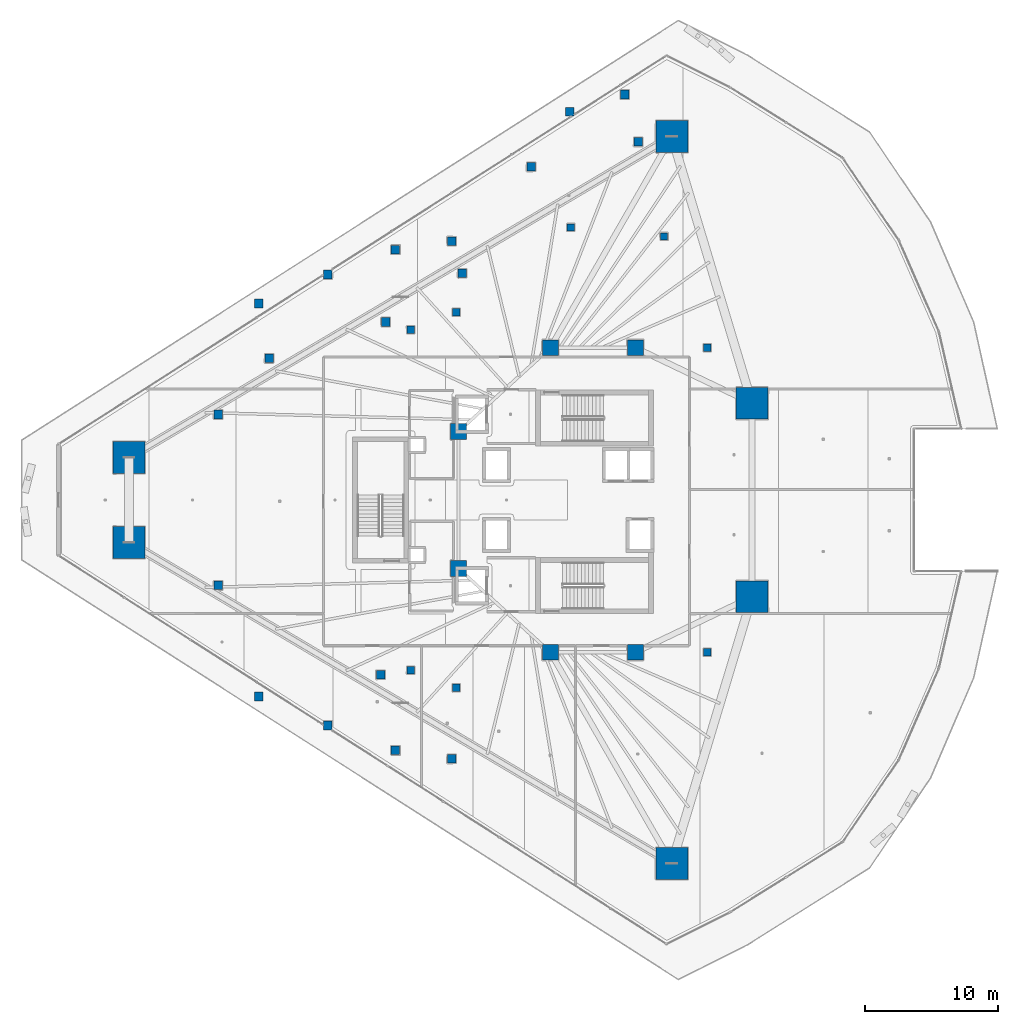
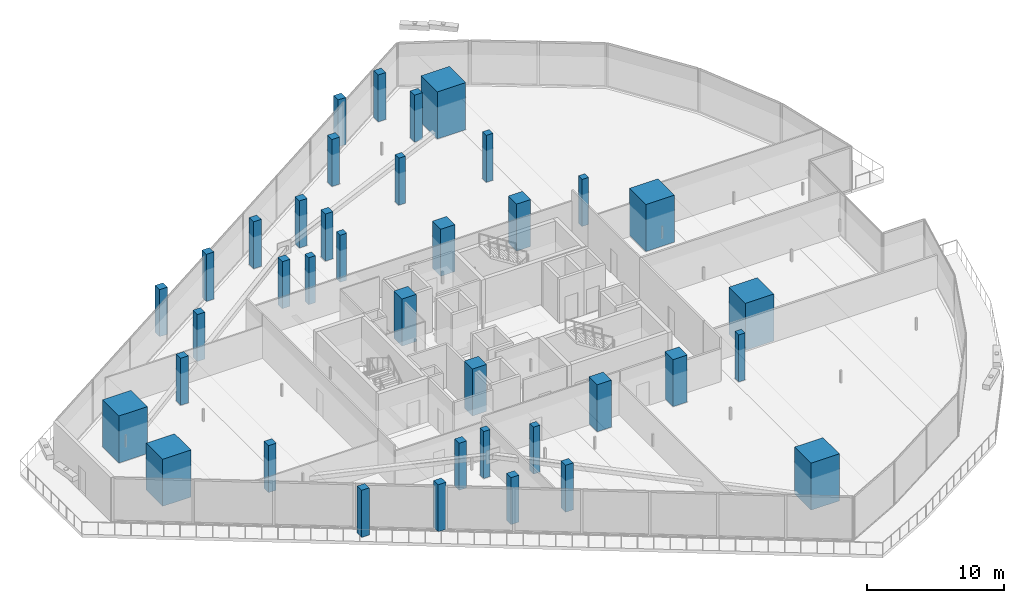
# One storey, part 1 of 45: 38 columns.
"""IFC4 building model written with IfcOpenShell, lengths in metres."""

import ifcopenshell
import ifcopenshell.guid

model = None  # the IFC model being written
_history = None  # IfcOwnerHistory: only IFC2X3 demands one
_inside = {}  # id of a spatial element -> (the spatial element, [elements in it])
_under = {}  # id of a project, library or spatial element -> (it, [spatial elements below it])
_declared = {}  # id of a project -> (the project, [libraries it declares])
_typed = {}  # id of a type object -> (the type object, [elements of that type])
_made_of = {}  # id of a material, layer set ... -> (it, [elements and type objects made of it])


def new_model(schema):
    """Start an empty IFC model of exactly this schema.

    Asked for "IFC4X3", IfcOpenShell would pick the latest addendum, in which some entities
    have other attributes; the version numbers below select the first issue.
    IFC2X3 requires an IfcOwnerHistory on every rooted entity: one is made here for all.
    """
    global model, _history
    if schema == "IFC4X3":
        model = ifcopenshell.file(schema_version=(4, 3, 0, 0))
    else:
        model = ifcopenshell.file(schema=schema)
    _inside.clear()
    _under.clear()
    _declared.clear()
    _typed.clear()
    _made_of.clear()
    _history = None
    if model.schema == "IFC2X3":
        org = make("IfcOrganization", Name="unknown")
        user = make(
            "IfcPersonAndOrganization",
            ThePerson=make("IfcPerson", FamilyName="unknown"),
            TheOrganization=org,
        )
        app = make(
            "IfcApplication",
            ApplicationDeveloper=org,
            Version="unknown",
            ApplicationFullName="unknown",
            ApplicationIdentifier="unknown",
        )
        _history = make(
            "IfcOwnerHistory",
            OwningUser=user,
            OwningApplication=app,
            ChangeAction="ADDED",
            CreationDate=0,
        )
    return model


def make(cls, **values):
    """One entity of the class cls with the attributes given. An attribute that is None is left unset."""
    return model.create_entity(
        cls, **{name: value for name, value in values.items() if value is not None}
    )


def rooted(cls, **values):
    """An entity with a GlobalId (a new one), such as an element, a storey or a relation."""
    return make(cls, GlobalId=ifcopenshell.guid.new(), OwnerHistory=_history, **values)


def si_unit(unit_type, name, prefix=None):
    """IfcSIUnit, for example si_unit("LENGTHUNIT", "METRE", prefix="MILLI")."""
    return make("IfcSIUnit", UnitType=unit_type, Prefix=prefix, Name=name)


def assignment(units):
    """IfcUnitAssignment: the units of a project."""
    return None if units is None else make("IfcUnitAssignment", Units=units)


def point(xyz):
    """IfcCartesianPoint."""
    return None if xyz is None else make("IfcCartesianPoint", Coordinates=xyz)


def direction(xyz):
    """IfcDirection."""
    return None if xyz is None else make("IfcDirection", DirectionRatios=xyz)


def frame(location, z_axis=None, x_axis=None):
    """IfcAxis2Placement3D, a coordinate frame: its origin and axes. An axis left out is left unset."""
    return make(
        "IfcAxis2Placement3D",
        Location=point(location),
        Axis=direction(z_axis),
        RefDirection=direction(x_axis),
    )


def frame_2d(location, x_axis=None):
    """IfcAxis2Placement2D, a coordinate frame in the plane: its origin and x axis."""
    return make(
        "IfcAxis2Placement2D", Location=point(location), RefDirection=direction(x_axis)
    )


def origin():
    """The frame at (0, 0, 0) with its axes left unset."""
    return frame((0.0, 0.0, 0.0))


def origin_2d():
    """The frame at (0, 0) in the plane with its x axis left unset."""
    return frame_2d((0.0, 0.0))


def place(relative_to, where):
    """IfcLocalPlacement: puts the frame where relative to a parent placement (None: the world)."""
    return make(
        "IfcLocalPlacement", PlacementRelTo=relative_to, RelativePlacement=where
    )


def context(
    kind, dimensions, precision=None, world=None, true_north=None, identifier=None
):
    """IfcGeometricRepresentationContext, for example the 3D "Model" context."""
    return make(
        "IfcGeometricRepresentationContext",
        ContextIdentifier=identifier,
        ContextType=kind,
        CoordinateSpaceDimension=dimensions,
        Precision=precision,
        WorldCoordinateSystem=world,
        TrueNorth=true_north,
    )


def subcontext(parent, identifier, kind, view, scale=None):
    """IfcGeometricRepresentationSubContext, for example "Body" below "Model"."""
    return make(
        "IfcGeometricRepresentationSubContext",
        ContextIdentifier=identifier,
        ContextType=kind,
        ParentContext=parent,
        TargetScale=scale,
        TargetView=view,
    )


def project(units=None, contexts=None):
    """IfcProject with its units and contexts."""
    return rooted(
        "IfcProject",
        Name="project",
        RepresentationContexts=contexts,
        UnitsInContext=assignment(units),
    )


def spatial(cls, under=None, at=None, **own):
    """A site, building, storey or space (cls), placed at a placement, below another one or the project."""
    s = rooted(cls, ObjectPlacement=at, **own)
    if under is not None:
        _under.setdefault(under.id(), (under, []))[1].append(s)
    return s


def profile(cls, at=None, kind="AREA", **sizes):
    """A parametric profile (cls). Its sizes go by their IFC names, for example OverallWidth=200.0."""
    return make(cls, ProfileType=kind, Position=at, **sizes)


def rectangle(**sizes):
    """IfcRectangleProfileDef."""
    return profile("IfcRectangleProfileDef", **sizes)


def extrude(swept, where, along, depth):
    """IfcExtrudedAreaSolid: the profile swept, set in the frame where, extruded along a direction by depth."""
    return make(
        "IfcExtrudedAreaSolid",
        SweptArea=swept,
        Position=where,
        ExtrudedDirection=direction(along),
        Depth=depth,
    )


def shape(context_of_items, identifier, shape_type, items):
    """IfcShapeRepresentation: the items that make up one representation, for example the "Body"."""
    return make(
        "IfcShapeRepresentation",
        ContextOfItems=context_of_items,
        RepresentationIdentifier=identifier,
        RepresentationType=shape_type,
        Items=items,
    )


def material(Name=None, Category=None):
    """IfcMaterial."""
    return make("IfcMaterial", Name=Name, Category=Category)


def material_profile(
    of_material, cross_section, Name=None, Category=None, Priority=None
):
    """IfcMaterialProfile: a cross section and its material."""
    return make(
        "IfcMaterialProfile",
        Name=Name,
        Material=of_material,
        Profile=cross_section,
        Priority=Priority,
        Category=Category,
    )


def profile_set(profiles, Name=None, composite=None):
    """IfcMaterialProfileSet."""
    return make(
        "IfcMaterialProfileSet",
        Name=Name,
        MaterialProfiles=profiles,
        CompositeProfile=composite,
    )


def made_of(thing, what):
    """Note that an element or type object is made of a material, layer set ...; save() writes the relation."""
    if what is not None:
        _made_of.setdefault(what.id(), (what, []))[1].append(thing)
    return thing


def type_object(cls, material=None, **own):
    """A type object (cls), such as IfcWallType, which elements share."""
    return made_of(rooted(cls, **own), material)


def element(
    cls,
    number,
    at=None,
    inside=None,
    cuts=None,
    type_object=None,
    material=None,
    context=None,
    identifier="Body",
    shape_type=None,
    held_by="IfcProductDefinitionShape",
    body=None,
    shapes=None,
    **own,
):
    """One element of the class cls, such as IfcWall. Its Tag is "e" and its number.

    at: its placement. inside: the storey or other place that contains it. cuts: it is an
    opening in that element (IfcRelVoidsElement). A single representation is given by context,
    identifier, shape_type and body (its items); several are given by shapes. held_by: the class
    of the entity that holds the representations. save() writes the other relations.
    """
    e = rooted(cls, Tag="e%d" % number, ObjectPlacement=at, **own)
    if body is not None:
        shapes = [shape(context, identifier, shape_type, body)]
    if shapes is not None:
        e.Representation = make(held_by, Representations=shapes)
    if inside is not None:
        _inside.setdefault(inside.id(), (inside, []))[1].append(e)
    if cuts is not None:
        rooted(
            "IfcRelVoidsElement", RelatingBuildingElement=cuts, RelatedOpeningElement=e
        )
    if type_object is not None:
        _typed.setdefault(type_object.id(), (type_object, []))[1].append(e)
    return made_of(e, material)


def aggregate(whole, parts):
    """IfcRelAggregates: a whole, such as a stair, and the parts it consists of."""
    return rooted("IfcRelAggregates", RelatingObject=whole, RelatedObjects=parts)


def save(model, path):
    """Write the relations noted so far, then the file.

    IfcRelAggregates (storeys below a building ...), IfcRelContainedInSpatialStructure (elements
    in a storey), IfcRelDefinesByType, IfcRelAssociatesMaterial and IfcRelDeclares: one each for
    every whole, place, type object, material and project.
    """
    for whole, parts in _under.values():
        aggregate(whole, parts)
    for where, things in _inside.values():
        rooted(
            "IfcRelContainedInSpatialStructure",
            RelatedElements=things,
            RelatingStructure=where,
        )
    for kind, things in _typed.values():
        rooted("IfcRelDefinesByType", RelatedObjects=things, RelatingType=kind)
    for what, things in _made_of.values():
        rooted("IfcRelAssociatesMaterial", RelatedObjects=things, RelatingMaterial=what)
    for by, libraries in _declared.values():
        rooted("IfcRelDeclares", RelatingContext=by, RelatedDefinitions=libraries)
    model.write(path)


model = new_model("IFC4")

# Units and contexts
model_context = context("Model", 3, precision=1e-05, world=origin(), true_north=direction((0.0, 1.0)))
body_context = subcontext(model_context, "Body", "Model", "MODEL_VIEW")
ifc_project = project(units=[si_unit("LENGTHUNIT", "METRE"), si_unit("AREAUNIT", "SQUARE_METRE"), si_unit("VOLUMEUNIT", "CUBIC_METRE"), si_unit("PLANEANGLEUNIT", "RADIAN"), si_unit("MASSUNIT", "GRAM", prefix="KILO")], contexts=[model_context])

# Site, building, storey
site_placement = place(None, origin())
site = spatial("IfcSite", under=ifc_project, at=site_placement, CompositionType="ELEMENT")
building_placement = place(site_placement, origin())
building = spatial("IfcBuilding", under=site, at=building_placement, Name="Qorvath Tower", CompositionType="ELEMENT")
storey_placement = place(building_placement, frame((0.0, 0.0, 49.199951171875)))
storey = spatial("IfcBuildingStorey", under=building, at=storey_placement, Name="L10", CompositionType="ELEMENT", Elevation=49.199951171875)

# Columns
ifc_material_1 = material(Name="Concrete C70/85", Category="concrete")
ifc_material_profile_1 = material_profile(ifc_material_1, rectangle(XDim=2.39990234375, YDim=2.39990234375, at=origin_2d()), Name="MC 2400x2400")
ifc_profile_set_1 = profile_set([ifc_material_profile_1], Name="Concrete C70/85")
column_type_1 = type_object("IfcColumnType", Name="COL-MC1", PredefinedType="COLUMN", material=ifc_profile_set_1)
for number, where, z_axis, x_axis, name in (
    (1, (-55.282958984375, 3.194580078125, 0.0), (0.0, 0.0, 1.0), (1.0, 0.0, 0.0), "Composite Mega-Column MC1 L10"),
    (2, (-55.282958984375, -3.194580078125, 0.0), (0.0, 0.0, 1.0), (1.0, 0.0, 0.0), "Composite Mega-Column MC2 L10"),
    (3, (-14.46435546875, -27.330810546875, 0.0), (0.0, 0.0, 1.0), (1.0, 0.0, 0.0), "Composite Mega-Column MC3 L10"),
    (4, (-8.430419921875, -7.2763671875, 0.0), (0.0, 0.0, 1.0), (1.0, 0.0, 0.0), "Composite Mega-Column MC4 L10"),
    (5, (-8.430419921875, 7.2763671875, 0.0), (0.0, 0.0, 1.0), (1.0, 0.0, 0.0), "Composite Mega-Column MC5 L10"),
    (6, (-14.46435546875, 27.330810546875, 0.0), (0.0, 0.0, 1.0), (1.0, 0.0, 0.0), "Composite Mega-Column MC6 L10"),
):
    element("IfcColumn", number, at=place(storey_placement, frame(where, z_axis=z_axis, x_axis=x_axis)), inside=storey, type_object=column_type_1, Name=name, PredefinedType="COLUMN", context=body_context, shape_type="SweptSolid", body=[
        extrude(rectangle(XDim=2.39990234375, YDim=2.39990234375, at=origin_2d()), origin(), (0.0, 0.0, 1.0), 4.199951171875),
    ])
ifc_material_2 = material(Name="Concrete C60/75", Category="concrete")
ifc_material_profile_2 = material_profile(ifc_material_2, rectangle(XDim=1.199951171875, YDim=1.199951171875, at=origin_2d()), Name="RC 1200x1200")
ifc_profile_set_2 = profile_set([ifc_material_profile_2], Name="Concrete C60/75")
column_type_2 = type_object("IfcColumnType", Name="COL-RC1", PredefinedType="COLUMN", material=ifc_profile_set_2)
for number, where, z_axis, x_axis, name in (
    (7, (-23.60009765625, 11.449951171875, 0.0), (0.0, 0.0, 1.0), (1.0, 0.0, 0.0), "Core Spine Column CC1 L10"),
    (8, (-17.199951171875, 11.449951171875, 0.0), (0.0, 0.0, 1.0), (1.0, 0.0, 0.0), "Core Spine Column CC2 L10"),
    (9, (-17.199951171875, -11.449951171875, 0.0), (0.0, 0.0, 1.0), (1.0, 0.0, 0.0), "Core Spine Column CC3 L10"),
    (10, (-23.60009765625, -11.449951171875, 0.0), (0.0, 0.0, 1.0), (1.0, 0.0, 0.0), "Core Spine Column CC4 L10"),
    (11, (-30.5, 5.14990234375, 0.0), (0.0, 0.0, 1.0), (1.0, 0.0, 0.0), "Core Spine Column CC5 L10"),
    (12, (-30.5, -5.14990234375, 0.0), (0.0, 0.0, 1.0), (1.0, 0.0, 0.0), "Core Spine Column CC6 L10"),
):
    element("IfcColumn", number, at=place(storey_placement, frame(where, z_axis=z_axis, x_axis=x_axis)), inside=storey, type_object=column_type_2, Name=name, PredefinedType="COLUMN", context=body_context, shape_type="SweptSolid", body=[
        extrude(rectangle(XDim=1.199951171875, YDim=1.199951171875, at=origin_2d()), origin(), (0.0, 0.0, 1.0), 4.199951171875),
    ])
ifc_material_3 = material(Name="Concrete C45/55", Category="concrete")
ifc_material_profile_3 = material_profile(ifc_material_3, rectangle(XDim=0.64990234375, YDim=0.64990234375, at=origin_2d()), Name="RC 650x650")
ifc_profile_set_3 = profile_set([ifc_material_profile_3], Name="Concrete C45/55")
column_type_3 = type_object("IfcColumnType", Name="COL-RC6", PredefinedType="COLUMN", material=ifc_profile_set_3)
for number, where, z_axis, x_axis, name in (
    (13, (-45.536376953125, 14.774658203125, 0.0), (0.0, 0.0, 1.0), (1.0, 0.0, 0.0), "Loggia Frame Pier Column LGA1 L10"),
    (14, (-45.536376953125, -14.774658203125, 0.0), (0.0, 0.0, 1.0), (1.0, 0.0, 0.0), "Loggia Frame Pier Column LGA2 L10"),
    (15, (-22.13134765625, 29.20556640625, 0.0), (0.0, 0.0, 1.0), (1.0, 0.0, 0.0), "Loggia Frame Pier Column LGA3 L10"),
    (16, (-40.33251953125, 16.955810546875, 0.0), (0.0, 0.0, 1.0), (1.0, 0.0, 0.0), "Loggia Frame Pier Column LGB1 L10"),
    (17, (-40.33251953125, -16.955810546875, 0.0), (0.0, 0.0, 1.0), (1.0, 0.0, 0.0), "Loggia Frame Pier Column LGB2 L10"),
    (18, (-18.0, 30.5, 0.0), (0.0, 0.0, 1.0), (1.0, 0.0, 0.0), "Loggia Frame Pier Column LGB3 L10"),
    (19, (-35.251708984375, 18.829345703125, 0.0), (0.0, 0.0, 1.0), (1.0, 0.0, 0.0), "Loggia Frame Pier Column LGC1 L10"),
    (20, (-35.251708984375, -18.829345703125, 0.0), (0.0, 0.0, 1.0), (1.0, 0.0, 0.0), "Loggia Frame Pier Column LGC2 L10"),
    (21, (-25.03759765625, 25.058837890625, 0.0), (0.0, 0.0, 1.0), (1.0, 0.0, 0.0), "Loggia Frame Pier Column LGC3 L10"),
    (22, (-31.01611328125, 19.46044921875, 0.0), (0.0, 0.0, 1.0), (1.0, 0.0, 0.0), "Loggia Frame Pier Column LGD1 L10"),
    (23, (-31.01611328125, -19.46044921875, 0.0), (0.0, 0.0, 1.0), (1.0, 0.0, 0.0), "Loggia Frame Pier Column LGD2 L10"),
    (24, (-44.736328125, 10.65234375, 0.0), (0.0, 0.0, 1.0), (1.0, 0.0, 0.0), "Loggia Frame Pier Column LGD3 L10"),
    (25, (-48.578369140625, 6.424560546875, 0.0), (0.0, 0.0, 1.0), (1.0, 0.0, 0.0), "Loggia Frame Pier Column LGE1 L10"),
    (26, (-48.578369140625, -6.424560546875, 0.0), (0.0, 0.0, 1.0), (1.0, 0.0, 0.0), "Loggia Frame Pier Column LGE2 L10"),
    (27, (-16.981201171875, 26.92919921875, 0.0), (0.0, 0.0, 1.0), (1.0, 0.0, 0.0), "Loggia Frame Pier Column LGE3 L10"),
    (28, (-35.980712890625, 13.380859375, 0.0), (0.0, 0.0, 1.0), (1.0, 0.0, 0.0), "Loggia Frame Pier Column LGF1 L10"),
    (29, (-36.36474609375, -13.135498046875, 0.0), (0.0, 0.0, 1.0), (1.0, 0.0, 0.0), "Loggia Frame Pier Column LGF2 L10"),
    (30, (-30.224853515625, 17.0595703125, 0.0), (0.0, 0.0, 1.0), (1.0, 0.0, 0.0), "Loggia Frame Pier Column LGF3 L10"),
):
    element("IfcColumn", number, at=place(storey_placement, frame(where, z_axis=z_axis, x_axis=x_axis)), inside=storey, type_object=column_type_3, Name=name, PredefinedType="COLUMN", context=body_context, shape_type="SweptSolid", body=[
        extrude(rectangle(XDim=0.64990234375, YDim=0.64990234375, at=origin_2d()), origin(), (0.0, 0.0, 1.0), 4.199951171875),
    ])
ifc_material_4 = material(Name="Concrete C45/55", Category="concrete")
ifc_material_profile_4 = material_profile(ifc_material_4, rectangle(XDim=0.550048828125, YDim=0.550048828125, at=origin_2d()), Name="RC 550x550")
ifc_profile_set_4 = profile_set([ifc_material_profile_4], Name="Concrete C45/55")
column_type_4 = type_object("IfcColumnType", Name="COL-RC7", PredefinedType="COLUMN", material=ifc_profile_set_4)
for number, where, z_axis, x_axis, name in (
    (31, (-34.104248046875, 12.79248046875, 0.0), (0.0, 0.0, 1.0), (1.0, 0.0, 0.0), "Loggia Frame Pier Column LGG1 L10"),
    (32, (-34.104248046875, -12.79248046875, 0.0), (0.0, 0.0, 1.0), (1.0, 0.0, 0.0), "Loggia Frame Pier Column LGG2 L10"),
    (33, (-22.05322265625, 20.494873046875, 0.0), (0.0, 0.0, 1.0), (1.0, 0.0, 0.0), "Loggia Frame Pier Column LGG3 L10"),
    (34, (-30.67724609375, 14.124267578125, 0.0), (0.0, 0.0, 1.0), (1.0, 0.0, 0.0), "Loggia Frame Pier Column LGH1 L10"),
    (35, (-30.67724609375, -14.124267578125, 0.0), (0.0, 0.0, 1.0), (1.0, 0.0, 0.0), "Loggia Frame Pier Column LGH2 L10"),
    (36, (-15.046142578125, 19.818115234375, 0.0), (0.0, 0.0, 1.0), (1.0, 0.0, 0.0), "Loggia Frame Pier Column LGH3 L10"),
    (37, (-11.800048828125, -11.449951171875, 0.0), (0.0, 0.0, 1.0), (1.0, 0.0, 0.0), "Central Slot Jamb Column SC1 L10"),
    (38, (-11.800048828125, 11.449951171875, 0.0), (0.0, 0.0, 1.0), (1.0, 0.0, 0.0), "Central Slot Jamb Column SC2 L10"),
):
    element("IfcColumn", number, at=place(storey_placement, frame(where, z_axis=z_axis, x_axis=x_axis)), inside=storey, type_object=column_type_4, Name=name, PredefinedType="COLUMN", context=body_context, shape_type="SweptSolid", body=[
        extrude(rectangle(XDim=0.550048828125, YDim=0.550048828125, at=origin_2d()), origin(), (0.0, 0.0, 1.0), 4.199951171875),
    ])

save(model, "model.ifc")
